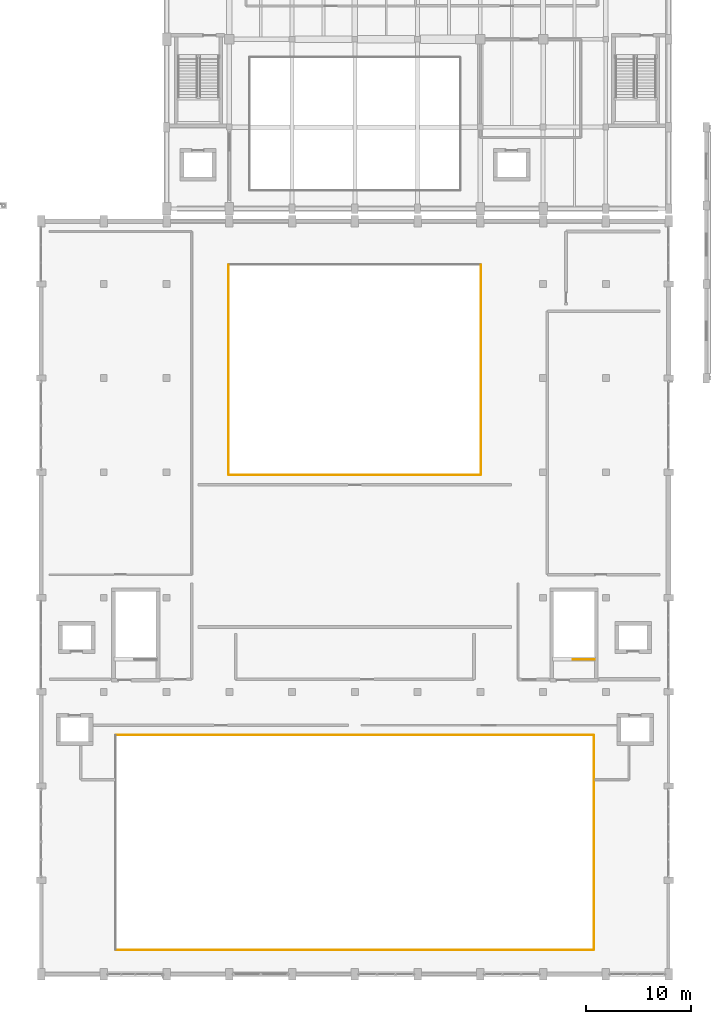
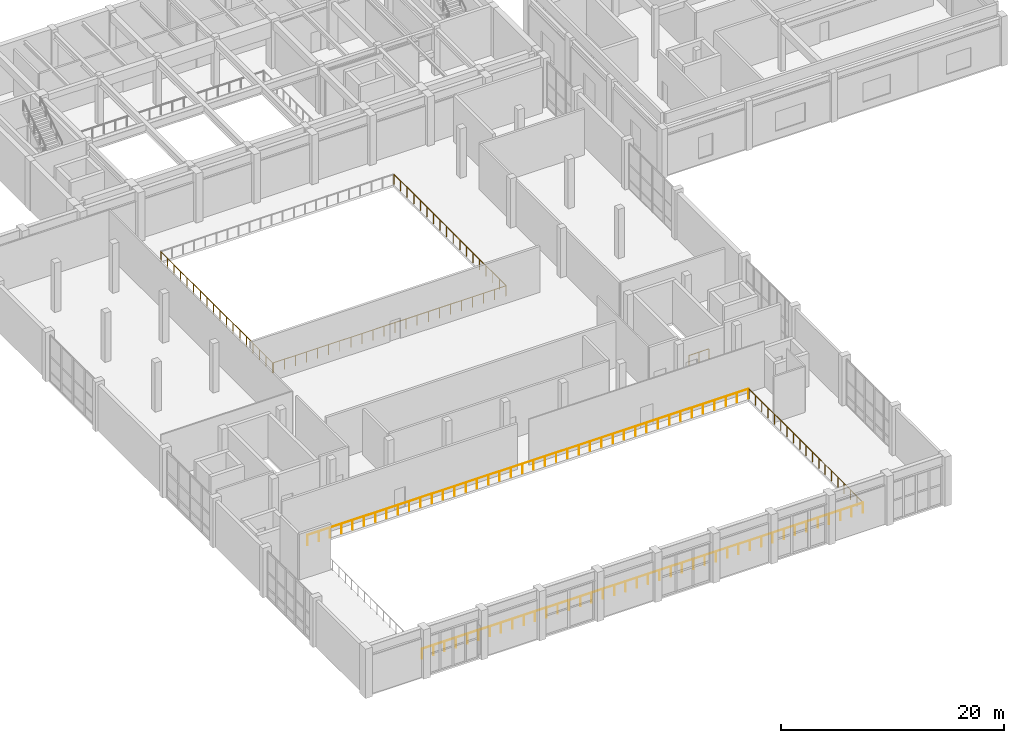
# One storey, part 37 of 41: 7 railings.
"""IFC4 building model written with IfcOpenShell, lengths in metres."""

from ifc_helpers import new_model, si_unit, direction, frame, origin, origin_2d, place, context, subcontext, project, spatial, circle, extrude, material, type_object, element, save


model = new_model("IFC4")

# Units and contexts
model_context = context("Model", 3, precision=1e-05, world=origin(), true_north=direction((0.0, 1.0)))
body_context = subcontext(model_context, "Body", "Model", "MODEL_VIEW")
ifc_project = project(units=[si_unit("LENGTHUNIT", "METRE"), si_unit("AREAUNIT", "SQUARE_METRE"), si_unit("VOLUMEUNIT", "CUBIC_METRE"), si_unit("PLANEANGLEUNIT", "RADIAN"), si_unit("MASSUNIT", "GRAM", prefix="KILO")], contexts=[model_context])

# Site, building, storey
site_placement = place(None, origin())
site = spatial("IfcSite", under=ifc_project, at=site_placement, CompositionType="ELEMENT")
building_placement = place(site_placement, origin())
building = spatial("IfcBuilding", under=site, at=building_placement, Name="Vaelkrest Opera House", CompositionType="ELEMENT")
storey_placement = place(building_placement, frame((0.0, 0.0, 24.60009765625)))
storey = spatial("IfcBuildingStorey", under=building, at=storey_placement, Name="L05", CompositionType="ELEMENT", Elevation=24.60009765625)

# Railings
ifc_material = material(Name="Dark bronze anodized aluminium", Category="aluminium")
railing_type_1 = type_object("IfcRailingType", Name="BL01", PredefinedType="BALUSTRADE", material=ifc_material)
railing_1_placement = place(storey_placement, frame((-12.0400390625, -8.080078125, 0.0)))
element("IfcRailing", 1, at=railing_1_placement, inside=storey, type_object=railing_type_1, Name="Atrium/stage void guard V1 L05-1 seg 1", PredefinedType="BALUSTRADE", context=body_context, shape_type="SweptSolid", body=[
    extrude(circle(Radius=0.02392578125, at=origin_2d()), frame((0.0, 0.0, 1.09619140625), z_axis=(1.0, 0.0, 0.0), x_axis=(0.0, 1.0, 0.0)), (0.0, 0.0, 1.0), 24.080078125),
    extrude(circle(Radius=0.02099609375, at=origin_2d()), origin(), (0.0, 0.0, 1.0), 1.072021484375),
    extrude(circle(Radius=0.02099609375, at=origin_2d()), frame((1.146728515625, 0.0, 0.0)), (0.0, 0.0, 1.0), 1.072021484375),
    extrude(circle(Radius=0.02099609375, at=origin_2d()), frame((2.29345703125, 0.0, 0.0)), (0.0, 0.0, 1.0), 1.072021484375),
    extrude(circle(Radius=0.02099609375, at=origin_2d()), frame((3.43994140625, 0.0, 0.0)), (0.0, 0.0, 1.0), 1.072021484375),
    extrude(circle(Radius=0.02099609375, at=origin_2d()), frame((4.586669921875, 0.0, 0.0)), (0.0, 0.0, 1.0), 1.072021484375),
    extrude(circle(Radius=0.02099609375, at=origin_2d()), frame((5.7333984375, 0.0, 0.0)), (0.0, 0.0, 1.0), 1.072021484375),
    extrude(circle(Radius=0.02099609375, at=origin_2d()), frame((6.880126953125, 0.0, 0.0)), (0.0, 0.0, 1.0), 1.072021484375),
    extrude(circle(Radius=0.02099609375, at=origin_2d()), frame((8.026611328125, 0.0, 0.0)), (0.0, 0.0, 1.0), 1.072021484375),
    extrude(circle(Radius=0.02099609375, at=origin_2d()), frame((9.17333984375, 0.0, 0.0)), (0.0, 0.0, 1.0), 1.072021484375),
    extrude(circle(Radius=0.02099609375, at=origin_2d()), frame((10.320068359375, 0.0, 0.0)), (0.0, 0.0, 1.0), 1.072021484375),
    extrude(circle(Radius=0.02099609375, at=origin_2d()), frame((11.466796875, 0.0, 0.0)), (0.0, 0.0, 1.0), 1.072021484375),
    extrude(circle(Radius=0.02099609375, at=origin_2d()), frame((12.61328125, 0.0, 0.0)), (0.0, 0.0, 1.0), 1.072021484375),
    extrude(circle(Radius=0.02099609375, at=origin_2d()), frame((13.760009765625, 0.0, 0.0)), (0.0, 0.0, 1.0), 1.072021484375),
    extrude(circle(Radius=0.02099609375, at=origin_2d()), frame((14.90673828125, 0.0, 0.0)), (0.0, 0.0, 1.0), 1.072021484375),
    extrude(circle(Radius=0.02099609375, at=origin_2d()), frame((16.053466796875, 0.0, 0.0)), (0.0, 0.0, 1.0), 1.072021484375),
    extrude(circle(Radius=0.02099609375, at=origin_2d()), frame((17.199951171875, 0.0, 0.0)), (0.0, 0.0, 1.0), 1.072021484375),
    extrude(circle(Radius=0.02099609375, at=origin_2d()), frame((18.3466796875, 0.0, 0.0)), (0.0, 0.0, 1.0), 1.072021484375),
    extrude(circle(Radius=0.02099609375, at=origin_2d()), frame((19.493408203125, 0.0, 0.0)), (0.0, 0.0, 1.0), 1.072021484375),
    extrude(circle(Radius=0.02099609375, at=origin_2d()), frame((20.64013671875, 0.0, 0.0)), (0.0, 0.0, 1.0), 1.072021484375),
    extrude(circle(Radius=0.02099609375, at=origin_2d()), frame((21.78662109375, 0.0, 0.0)), (0.0, 0.0, 1.0), 1.072021484375),
    extrude(circle(Radius=0.02099609375, at=origin_2d()), frame((22.933349609375, 0.0, 0.0)), (0.0, 0.0, 1.0), 1.072021484375),
    extrude(circle(Radius=0.02099609375, at=origin_2d()), frame((24.080078125, 0.0, 0.0)), (0.0, 0.0, 1.0), 1.072021484375),
])
railing_2_placement = place(storey_placement, frame((12.080078125, -8.0400390625, 0.0)))
element("IfcRailing", 2, at=railing_2_placement, inside=storey, type_object=railing_type_1, Name="Atrium/stage void guard V1 L05-1 seg 2", PredefinedType="BALUSTRADE", context=body_context, shape_type="SweptSolid", body=[
    extrude(circle(Radius=0.02392578125, at=origin_2d()), frame((0.0, 0.0, 1.09619140625), z_axis=(0.0, 1.0, 0.0), x_axis=(-1.0, 0.0, 0.0)), (0.0, 0.0, 1.0), 20.080078125),
    extrude(circle(Radius=0.02099609375, at=origin_2d()), origin(), (0.0, 0.0, 1.0), 1.072021484375),
    extrude(circle(Radius=0.02099609375, at=origin_2d()), frame((0.0, 1.18115234375, 0.0)), (0.0, 0.0, 1.0), 1.072021484375),
    extrude(circle(Radius=0.02099609375, at=origin_2d()), frame((0.0, 2.3623046875, 0.0)), (0.0, 0.0, 1.0), 1.072021484375),
    extrude(circle(Radius=0.02099609375, at=origin_2d()), frame((0.0, 3.54345703125, 0.0)), (0.0, 0.0, 1.0), 1.072021484375),
    extrude(circle(Radius=0.02099609375, at=origin_2d()), frame((0.0, 4.724609375, 0.0)), (0.0, 0.0, 1.0), 1.072021484375),
    extrude(circle(Radius=0.02099609375, at=origin_2d()), frame((0.0, 5.906005859375, 0.0)), (0.0, 0.0, 1.0), 1.072021484375),
    extrude(circle(Radius=0.02099609375, at=origin_2d()), frame((0.0, 7.087158203125, 0.0)), (0.0, 0.0, 1.0), 1.072021484375),
    extrude(circle(Radius=0.02099609375, at=origin_2d()), frame((0.0, 8.268310546875, 0.0)), (0.0, 0.0, 1.0), 1.072021484375),
    extrude(circle(Radius=0.02099609375, at=origin_2d()), frame((0.0, 9.449462890625, 0.0)), (0.0, 0.0, 1.0), 1.072021484375),
    extrude(circle(Radius=0.02099609375, at=origin_2d()), frame((0.0, 10.630615234375, 0.0)), (0.0, 0.0, 1.0), 1.072021484375),
    extrude(circle(Radius=0.02099609375, at=origin_2d()), frame((0.0, 11.811767578125, 0.0)), (0.0, 0.0, 1.0), 1.072021484375),
    extrude(circle(Radius=0.02099609375, at=origin_2d()), frame((0.0, 12.992919921875, 0.0)), (0.0, 0.0, 1.0), 1.072021484375),
    extrude(circle(Radius=0.02099609375, at=origin_2d()), frame((0.0, 14.174072265625, 0.0)), (0.0, 0.0, 1.0), 1.072021484375),
    extrude(circle(Radius=0.02099609375, at=origin_2d()), frame((0.0, 15.35546875, 0.0)), (0.0, 0.0, 1.0), 1.072021484375),
    extrude(circle(Radius=0.02099609375, at=origin_2d()), frame((0.0, 16.53662109375, 0.0)), (0.0, 0.0, 1.0), 1.072021484375),
    extrude(circle(Radius=0.02099609375, at=origin_2d()), frame((0.0, 17.7177734375, 0.0)), (0.0, 0.0, 1.0), 1.072021484375),
    extrude(circle(Radius=0.02099609375, at=origin_2d()), frame((0.0, 18.89892578125, 0.0)), (0.0, 0.0, 1.0), 1.072021484375),
    extrude(circle(Radius=0.02099609375, at=origin_2d()), frame((0.0, 20.080078125, 0.0)), (0.0, 0.0, 1.0), 1.072021484375),
])
railing_3_placement = place(storey_placement, frame((-12.080078125, 12.0400390625, 0.0)))
element("IfcRailing", 3, at=railing_3_placement, inside=storey, type_object=railing_type_1, Name="Atrium/stage void guard V1 L05-1 seg 4", PredefinedType="BALUSTRADE", context=body_context, shape_type="SweptSolid", body=[
    extrude(circle(Radius=0.02392578125, at=origin_2d()), frame((0.0, 0.0, 1.09619140625), z_axis=(0.0, -1.0, 0.0), x_axis=(1.0, 0.0, 0.0)), (0.0, 0.0, 1.0), 20.080078125),
    extrude(circle(Radius=0.02099609375, at=origin_2d()), origin(), (0.0, 0.0, 1.0), 1.072021484375),
    extrude(circle(Radius=0.02099609375, at=origin_2d()), frame((0.0, -1.18115234375, 0.0)), (0.0, 0.0, 1.0), 1.072021484375),
    extrude(circle(Radius=0.02099609375, at=origin_2d()), frame((0.0, -2.3623046875, 0.0)), (0.0, 0.0, 1.0), 1.072021484375),
    extrude(circle(Radius=0.02099609375, at=origin_2d()), frame((0.0, -3.54345703125, 0.0)), (0.0, 0.0, 1.0), 1.072021484375),
    extrude(circle(Radius=0.02099609375, at=origin_2d()), frame((0.0, -4.724609375, 0.0)), (0.0, 0.0, 1.0), 1.072021484375),
    extrude(circle(Radius=0.02099609375, at=origin_2d()), frame((0.0, -5.906005859375, 0.0)), (0.0, 0.0, 1.0), 1.072021484375),
    extrude(circle(Radius=0.02099609375, at=origin_2d()), frame((0.0, -7.087158203125, 0.0)), (0.0, 0.0, 1.0), 1.072021484375),
    extrude(circle(Radius=0.02099609375, at=origin_2d()), frame((0.0, -8.268310546875, 0.0)), (0.0, 0.0, 1.0), 1.072021484375),
    extrude(circle(Radius=0.02099609375, at=origin_2d()), frame((0.0, -9.449462890625, 0.0)), (0.0, 0.0, 1.0), 1.072021484375),
    extrude(circle(Radius=0.02099609375, at=origin_2d()), frame((0.0, -10.630615234375, 0.0)), (0.0, 0.0, 1.0), 1.072021484375),
    extrude(circle(Radius=0.02099609375, at=origin_2d()), frame((0.0, -11.811767578125, 0.0)), (0.0, 0.0, 1.0), 1.072021484375),
    extrude(circle(Radius=0.02099609375, at=origin_2d()), frame((0.0, -12.992919921875, 0.0)), (0.0, 0.0, 1.0), 1.072021484375),
    extrude(circle(Radius=0.02099609375, at=origin_2d()), frame((0.0, -14.174072265625, 0.0)), (0.0, 0.0, 1.0), 1.072021484375),
    extrude(circle(Radius=0.02099609375, at=origin_2d()), frame((0.0, -15.35546875, 0.0)), (0.0, 0.0, 1.0), 1.072021484375),
    extrude(circle(Radius=0.02099609375, at=origin_2d()), frame((0.0, -16.53662109375, 0.0)), (0.0, 0.0, 1.0), 1.072021484375),
    extrude(circle(Radius=0.02099609375, at=origin_2d()), frame((0.0, -17.7177734375, 0.0)), (0.0, 0.0, 1.0), 1.072021484375),
    extrude(circle(Radius=0.02099609375, at=origin_2d()), frame((0.0, -18.89892578125, 0.0)), (0.0, 0.0, 1.0), 1.072021484375),
    extrude(circle(Radius=0.02099609375, at=origin_2d()), frame((0.0, -20.080078125, 0.0)), (0.0, 0.0, 1.0), 1.072021484375),
])
railing_4_placement = place(storey_placement, frame((-22.840087890625, -53.47998046875, 0.0)))
element("IfcRailing", 4, at=railing_4_placement, inside=storey, type_object=railing_type_1, Name="Atrium/stage void guard V1 L05-2 seg 1", PredefinedType="BALUSTRADE", context=body_context, shape_type="SweptSolid", body=[
    extrude(circle(Radius=0.02392578125, at=origin_2d()), frame((0.0, 0.0, 1.09619140625), z_axis=(1.0, 0.0, 0.0), x_axis=(0.0, 1.0, 0.0)), (0.0, 0.0, 1.0), 45.68017578125),
    extrude(circle(Radius=0.02099609375, at=origin_2d()), origin(), (0.0, 0.0, 1.0), 1.072021484375),
    extrude(circle(Radius=0.02099609375, at=origin_2d()), frame((1.17138671875, 0.0, 0.0)), (0.0, 0.0, 1.0), 1.072021484375),
    extrude(circle(Radius=0.02099609375, at=origin_2d()), frame((2.342529296875, 0.0, 0.0)), (0.0, 0.0, 1.0), 1.072021484375),
    extrude(circle(Radius=0.02099609375, at=origin_2d()), frame((3.513916015625, 0.0, 0.0)), (0.0, 0.0, 1.0), 1.072021484375),
    extrude(circle(Radius=0.02099609375, at=origin_2d()), frame((4.68505859375, 0.0, 0.0)), (0.0, 0.0, 1.0), 1.072021484375),
    extrude(circle(Radius=0.02099609375, at=origin_2d()), frame((5.8564453125, 0.0, 0.0)), (0.0, 0.0, 1.0), 1.072021484375),
    extrude(circle(Radius=0.02099609375, at=origin_2d()), frame((7.02783203125, 0.0, 0.0)), (0.0, 0.0, 1.0), 1.072021484375),
    extrude(circle(Radius=0.02099609375, at=origin_2d()), frame((8.198974609375, 0.0, 0.0)), (0.0, 0.0, 1.0), 1.072021484375),
    extrude(circle(Radius=0.02099609375, at=origin_2d()), frame((9.370361328125, 0.0, 0.0)), (0.0, 0.0, 1.0), 1.072021484375),
    extrude(circle(Radius=0.02099609375, at=origin_2d()), frame((10.54150390625, 0.0, 0.0)), (0.0, 0.0, 1.0), 1.072021484375),
    extrude(circle(Radius=0.02099609375, at=origin_2d()), frame((11.712890625, 0.0, 0.0)), (0.0, 0.0, 1.0), 1.072021484375),
    extrude(circle(Radius=0.02099609375, at=origin_2d()), frame((12.884033203125, 0.0, 0.0)), (0.0, 0.0, 1.0), 1.072021484375),
    extrude(circle(Radius=0.02099609375, at=origin_2d()), frame((14.055419921875, 0.0, 0.0)), (0.0, 0.0, 1.0), 1.072021484375),
    extrude(circle(Radius=0.02099609375, at=origin_2d()), frame((15.226806640625, 0.0, 0.0)), (0.0, 0.0, 1.0), 1.072021484375),
    extrude(circle(Radius=0.02099609375, at=origin_2d()), frame((16.39794921875, 0.0, 0.0)), (0.0, 0.0, 1.0), 1.072021484375),
    extrude(circle(Radius=0.02099609375, at=origin_2d()), frame((17.5693359375, 0.0, 0.0)), (0.0, 0.0, 1.0), 1.072021484375),
    extrude(circle(Radius=0.02099609375, at=origin_2d()), frame((18.740478515625, 0.0, 0.0)), (0.0, 0.0, 1.0), 1.072021484375),
    extrude(circle(Radius=0.02099609375, at=origin_2d()), frame((19.911865234375, 0.0, 0.0)), (0.0, 0.0, 1.0), 1.072021484375),
    extrude(circle(Radius=0.02099609375, at=origin_2d()), frame((21.083251953125, 0.0, 0.0)), (0.0, 0.0, 1.0), 1.072021484375),
    extrude(circle(Radius=0.02099609375, at=origin_2d()), frame((22.25439453125, 0.0, 0.0)), (0.0, 0.0, 1.0), 1.072021484375),
    extrude(circle(Radius=0.02099609375, at=origin_2d()), frame((23.42578125, 0.0, 0.0)), (0.0, 0.0, 1.0), 1.072021484375),
    extrude(circle(Radius=0.02099609375, at=origin_2d()), frame((24.596923828125, 0.0, 0.0)), (0.0, 0.0, 1.0), 1.072021484375),
    extrude(circle(Radius=0.02099609375, at=origin_2d()), frame((25.768310546875, 0.0, 0.0)), (0.0, 0.0, 1.0), 1.072021484375),
    extrude(circle(Radius=0.02099609375, at=origin_2d()), frame((26.939697265625, 0.0, 0.0)), (0.0, 0.0, 1.0), 1.072021484375),
    extrude(circle(Radius=0.02099609375, at=origin_2d()), frame((28.11083984375, 0.0, 0.0)), (0.0, 0.0, 1.0), 1.072021484375),
    extrude(circle(Radius=0.02099609375, at=origin_2d()), frame((29.2822265625, 0.0, 0.0)), (0.0, 0.0, 1.0), 1.072021484375),
    extrude(circle(Radius=0.02099609375, at=origin_2d()), frame((30.453369140625, 0.0, 0.0)), (0.0, 0.0, 1.0), 1.072021484375),
    extrude(circle(Radius=0.02099609375, at=origin_2d()), frame((31.624755859375, 0.0, 0.0)), (0.0, 0.0, 1.0), 1.072021484375),
    extrude(circle(Radius=0.02099609375, at=origin_2d()), frame((32.796142578125, 0.0, 0.0)), (0.0, 0.0, 1.0), 1.072021484375),
    extrude(circle(Radius=0.02099609375, at=origin_2d()), frame((33.96728515625, 0.0, 0.0)), (0.0, 0.0, 1.0), 1.072021484375),
    extrude(circle(Radius=0.02099609375, at=origin_2d()), frame((35.138671875, 0.0, 0.0)), (0.0, 0.0, 1.0), 1.072021484375),
    extrude(circle(Radius=0.02099609375, at=origin_2d()), frame((36.309814453125, 0.0, 0.0)), (0.0, 0.0, 1.0), 1.072021484375),
    extrude(circle(Radius=0.02099609375, at=origin_2d()), frame((37.481201171875, 0.0, 0.0)), (0.0, 0.0, 1.0), 1.072021484375),
    extrude(circle(Radius=0.02099609375, at=origin_2d()), frame((38.65234375, 0.0, 0.0)), (0.0, 0.0, 1.0), 1.072021484375),
    extrude(circle(Radius=0.02099609375, at=origin_2d()), frame((39.82373046875, 0.0, 0.0)), (0.0, 0.0, 1.0), 1.072021484375),
    extrude(circle(Radius=0.02099609375, at=origin_2d()), frame((40.9951171875, 0.0, 0.0)), (0.0, 0.0, 1.0), 1.072021484375),
    extrude(circle(Radius=0.02099609375, at=origin_2d()), frame((42.166259765625, 0.0, 0.0)), (0.0, 0.0, 1.0), 1.072021484375),
    extrude(circle(Radius=0.02099609375, at=origin_2d()), frame((43.337646484375, 0.0, 0.0)), (0.0, 0.0, 1.0), 1.072021484375),
    extrude(circle(Radius=0.02099609375, at=origin_2d()), frame((44.5087890625, 0.0, 0.0)), (0.0, 0.0, 1.0), 1.072021484375),
    extrude(circle(Radius=0.02099609375, at=origin_2d()), frame((45.68017578125, 0.0, 0.0)), (0.0, 0.0, 1.0), 1.072021484375),
])
railing_5_placement = place(storey_placement, frame((22.8798828125, -53.43994140625, 0.0)))
element("IfcRailing", 5, at=railing_5_placement, inside=storey, type_object=railing_type_1, Name="Atrium/stage void guard V1 L05-2 seg 2", PredefinedType="BALUSTRADE", context=body_context, shape_type="SweptSolid", body=[
    extrude(circle(Radius=0.02392578125, at=origin_2d()), frame((0.0, 0.0, 1.09619140625), z_axis=(0.0, 1.0, 0.0), x_axis=(-1.0, 0.0, 0.0)), (0.0, 0.0, 1.0), 20.47998046875),
    extrude(circle(Radius=0.02099609375, at=origin_2d()), origin(), (0.0, 0.0, 1.0), 1.072021484375),
    extrude(circle(Radius=0.02099609375, at=origin_2d()), frame((0.0, 1.1376953125, 0.0)), (0.0, 0.0, 1.0), 1.072021484375),
    extrude(circle(Radius=0.02099609375, at=origin_2d()), frame((0.0, 2.275634765625, 0.0)), (0.0, 0.0, 1.0), 1.072021484375),
    extrude(circle(Radius=0.02099609375, at=origin_2d()), frame((0.0, 3.413330078125, 0.0)), (0.0, 0.0, 1.0), 1.072021484375),
    extrude(circle(Radius=0.02099609375, at=origin_2d()), frame((0.0, 4.551025390625, 0.0)), (0.0, 0.0, 1.0), 1.072021484375),
    extrude(circle(Radius=0.02099609375, at=origin_2d()), frame((0.0, 5.68896484375, 0.0)), (0.0, 0.0, 1.0), 1.072021484375),
    extrude(circle(Radius=0.02099609375, at=origin_2d()), frame((0.0, 6.82666015625, 0.0)), (0.0, 0.0, 1.0), 1.072021484375),
    extrude(circle(Radius=0.02099609375, at=origin_2d()), frame((0.0, 7.96435546875, 0.0)), (0.0, 0.0, 1.0), 1.072021484375),
    extrude(circle(Radius=0.02099609375, at=origin_2d()), frame((0.0, 9.102294921875, 0.0)), (0.0, 0.0, 1.0), 1.072021484375),
    extrude(circle(Radius=0.02099609375, at=origin_2d()), frame((0.0, 10.239990234375, 0.0)), (0.0, 0.0, 1.0), 1.072021484375),
    extrude(circle(Radius=0.02099609375, at=origin_2d()), frame((0.0, 11.377685546875, 0.0)), (0.0, 0.0, 1.0), 1.072021484375),
    extrude(circle(Radius=0.02099609375, at=origin_2d()), frame((0.0, 12.515625, 0.0)), (0.0, 0.0, 1.0), 1.072021484375),
    extrude(circle(Radius=0.02099609375, at=origin_2d()), frame((0.0, 13.6533203125, 0.0)), (0.0, 0.0, 1.0), 1.072021484375),
    extrude(circle(Radius=0.02099609375, at=origin_2d()), frame((0.0, 14.791015625, 0.0)), (0.0, 0.0, 1.0), 1.072021484375),
    extrude(circle(Radius=0.02099609375, at=origin_2d()), frame((0.0, 15.928955078125, 0.0)), (0.0, 0.0, 1.0), 1.072021484375),
    extrude(circle(Radius=0.02099609375, at=origin_2d()), frame((0.0, 17.066650390625, 0.0)), (0.0, 0.0, 1.0), 1.072021484375),
    extrude(circle(Radius=0.02099609375, at=origin_2d()), frame((0.0, 18.204345703125, 0.0)), (0.0, 0.0, 1.0), 1.072021484375),
    extrude(circle(Radius=0.02099609375, at=origin_2d()), frame((0.0, 19.34228515625, 0.0)), (0.0, 0.0, 1.0), 1.072021484375),
    extrude(circle(Radius=0.02099609375, at=origin_2d()), frame((0.0, 20.47998046875, 0.0)), (0.0, 0.0, 1.0), 1.072021484375),
])
railing_6_placement = place(storey_placement, frame((22.840087890625, -32.919921875, 0.0)))
element("IfcRailing", 6, at=railing_6_placement, inside=storey, type_object=railing_type_1, Name="Atrium/stage void guard V1 L05-2 seg 3", PredefinedType="BALUSTRADE", context=body_context, shape_type="SweptSolid", body=[
    extrude(circle(Radius=0.02392578125, at=origin_2d()), frame((0.0, 0.0, 1.09619140625), z_axis=(-1.0, 0.0, 0.0), x_axis=(0.0, -1.0, 0.0)), (0.0, 0.0, 1.0), 45.68017578125),
    extrude(circle(Radius=0.02099609375, at=origin_2d()), origin(), (0.0, 0.0, 1.0), 1.072021484375),
    extrude(circle(Radius=0.02099609375, at=origin_2d()), frame((-1.17138671875, 0.0, 0.0)), (0.0, 0.0, 1.0), 1.072021484375),
    extrude(circle(Radius=0.02099609375, at=origin_2d()), frame((-2.342529296875, 0.0, 0.0)), (0.0, 0.0, 1.0), 1.072021484375),
    extrude(circle(Radius=0.02099609375, at=origin_2d()), frame((-3.513916015625, 0.0, 0.0)), (0.0, 0.0, 1.0), 1.072021484375),
    extrude(circle(Radius=0.02099609375, at=origin_2d()), frame((-4.68505859375, 0.0, 0.0)), (0.0, 0.0, 1.0), 1.072021484375),
    extrude(circle(Radius=0.02099609375, at=origin_2d()), frame((-5.8564453125, 0.0, 0.0)), (0.0, 0.0, 1.0), 1.072021484375),
    extrude(circle(Radius=0.02099609375, at=origin_2d()), frame((-7.02783203125, 0.0, 0.0)), (0.0, 0.0, 1.0), 1.072021484375),
    extrude(circle(Radius=0.02099609375, at=origin_2d()), frame((-8.198974609375, 0.0, 0.0)), (0.0, 0.0, 1.0), 1.072021484375),
    extrude(circle(Radius=0.02099609375, at=origin_2d()), frame((-9.370361328125, 0.0, 0.0)), (0.0, 0.0, 1.0), 1.072021484375),
    extrude(circle(Radius=0.02099609375, at=origin_2d()), frame((-10.54150390625, 0.0, 0.0)), (0.0, 0.0, 1.0), 1.072021484375),
    extrude(circle(Radius=0.02099609375, at=origin_2d()), frame((-11.712890625, 0.0, 0.0)), (0.0, 0.0, 1.0), 1.072021484375),
    extrude(circle(Radius=0.02099609375, at=origin_2d()), frame((-12.884033203125, 0.0, 0.0)), (0.0, 0.0, 1.0), 1.072021484375),
    extrude(circle(Radius=0.02099609375, at=origin_2d()), frame((-14.055419921875, 0.0, 0.0)), (0.0, 0.0, 1.0), 1.072021484375),
    extrude(circle(Radius=0.02099609375, at=origin_2d()), frame((-15.226806640625, 0.0, 0.0)), (0.0, 0.0, 1.0), 1.072021484375),
    extrude(circle(Radius=0.02099609375, at=origin_2d()), frame((-16.39794921875, 0.0, 0.0)), (0.0, 0.0, 1.0), 1.072021484375),
    extrude(circle(Radius=0.02099609375, at=origin_2d()), frame((-17.5693359375, 0.0, 0.0)), (0.0, 0.0, 1.0), 1.072021484375),
    extrude(circle(Radius=0.02099609375, at=origin_2d()), frame((-18.740478515625, 0.0, 0.0)), (0.0, 0.0, 1.0), 1.072021484375),
    extrude(circle(Radius=0.02099609375, at=origin_2d()), frame((-19.911865234375, 0.0, 0.0)), (0.0, 0.0, 1.0), 1.072021484375),
    extrude(circle(Radius=0.02099609375, at=origin_2d()), frame((-21.083251953125, 0.0, 0.0)), (0.0, 0.0, 1.0), 1.072021484375),
    extrude(circle(Radius=0.02099609375, at=origin_2d()), frame((-22.25439453125, 0.0, 0.0)), (0.0, 0.0, 1.0), 1.072021484375),
    extrude(circle(Radius=0.02099609375, at=origin_2d()), frame((-23.42578125, 0.0, 0.0)), (0.0, 0.0, 1.0), 1.072021484375),
    extrude(circle(Radius=0.02099609375, at=origin_2d()), frame((-24.596923828125, 0.0, 0.0)), (0.0, 0.0, 1.0), 1.072021484375),
    extrude(circle(Radius=0.02099609375, at=origin_2d()), frame((-25.768310546875, 0.0, 0.0)), (0.0, 0.0, 1.0), 1.072021484375),
    extrude(circle(Radius=0.02099609375, at=origin_2d()), frame((-26.939697265625, 0.0, 0.0)), (0.0, 0.0, 1.0), 1.072021484375),
    extrude(circle(Radius=0.02099609375, at=origin_2d()), frame((-28.11083984375, 0.0, 0.0)), (0.0, 0.0, 1.0), 1.072021484375),
    extrude(circle(Radius=0.02099609375, at=origin_2d()), frame((-29.2822265625, 0.0, 0.0)), (0.0, 0.0, 1.0), 1.072021484375),
    extrude(circle(Radius=0.02099609375, at=origin_2d()), frame((-30.453369140625, 0.0, 0.0)), (0.0, 0.0, 1.0), 1.072021484375),
    extrude(circle(Radius=0.02099609375, at=origin_2d()), frame((-31.624755859375, 0.0, 0.0)), (0.0, 0.0, 1.0), 1.072021484375),
    extrude(circle(Radius=0.02099609375, at=origin_2d()), frame((-32.796142578125, 0.0, 0.0)), (0.0, 0.0, 1.0), 1.072021484375),
    extrude(circle(Radius=0.02099609375, at=origin_2d()), frame((-33.96728515625, 0.0, 0.0)), (0.0, 0.0, 1.0), 1.072021484375),
    extrude(circle(Radius=0.02099609375, at=origin_2d()), frame((-35.138671875, 0.0, 0.0)), (0.0, 0.0, 1.0), 1.072021484375),
    extrude(circle(Radius=0.02099609375, at=origin_2d()), frame((-36.309814453125, 0.0, 0.0)), (0.0, 0.0, 1.0), 1.072021484375),
    extrude(circle(Radius=0.02099609375, at=origin_2d()), frame((-37.481201171875, 0.0, 0.0)), (0.0, 0.0, 1.0), 1.072021484375),
    extrude(circle(Radius=0.02099609375, at=origin_2d()), frame((-38.65234375, 0.0, 0.0)), (0.0, 0.0, 1.0), 1.072021484375),
    extrude(circle(Radius=0.02099609375, at=origin_2d()), frame((-39.82373046875, 0.0, 0.0)), (0.0, 0.0, 1.0), 1.072021484375),
    extrude(circle(Radius=0.02099609375, at=origin_2d()), frame((-40.9951171875, 0.0, 0.0)), (0.0, 0.0, 1.0), 1.072021484375),
    extrude(circle(Radius=0.02099609375, at=origin_2d()), frame((-42.166259765625, 0.0, 0.0)), (0.0, 0.0, 1.0), 1.072021484375),
    extrude(circle(Radius=0.02099609375, at=origin_2d()), frame((-43.337646484375, 0.0, 0.0)), (0.0, 0.0, 1.0), 1.072021484375),
    extrude(circle(Radius=0.02099609375, at=origin_2d()), frame((-44.5087890625, 0.0, 0.0)), (0.0, 0.0, 1.0), 1.072021484375),
    extrude(circle(Radius=0.02099609375, at=origin_2d()), frame((-45.68017578125, 0.0, 0.0)), (0.0, 0.0, 1.0), 1.072021484375),
])
railing_type_2 = type_object("IfcRailingType", Name="GR02", PredefinedType="GUARDRAIL", material=ifc_material)
railing_7_placement = place(storey_placement, frame((22.89990234375, -25.699951171875, 0.0)))
element("IfcRailing", 7, at=railing_7_placement, inside=storey, type_object=railing_type_2, Name="L05 ST02 top well guard 1", PredefinedType="GUARDRAIL", context=body_context, shape_type="SweptSolid", body=[
    extrude(circle(Radius=0.02392578125, at=origin_2d()), frame((0.0, 0.0, 1.076171875), z_axis=(-1.0, 0.0, 0.0), x_axis=(0.0, -1.0, 0.0)), (0.0, 0.0, 1.0), 2.0498046875),
    extrude(circle(Radius=0.02099609375, at=origin_2d()), origin(), (0.0, 0.0, 1.0), 1.052001953125),
    extrude(circle(Radius=0.02099609375, at=origin_2d()), frame((-1.02490234375, 0.0, 0.0)), (0.0, 0.0, 1.0), 1.052001953125),
    extrude(circle(Radius=0.02099609375, at=origin_2d()), frame((-2.0498046875, 0.0, 0.0)), (0.0, 0.0, 1.0), 1.052001953125),
])

save(model, "model.ifc")
